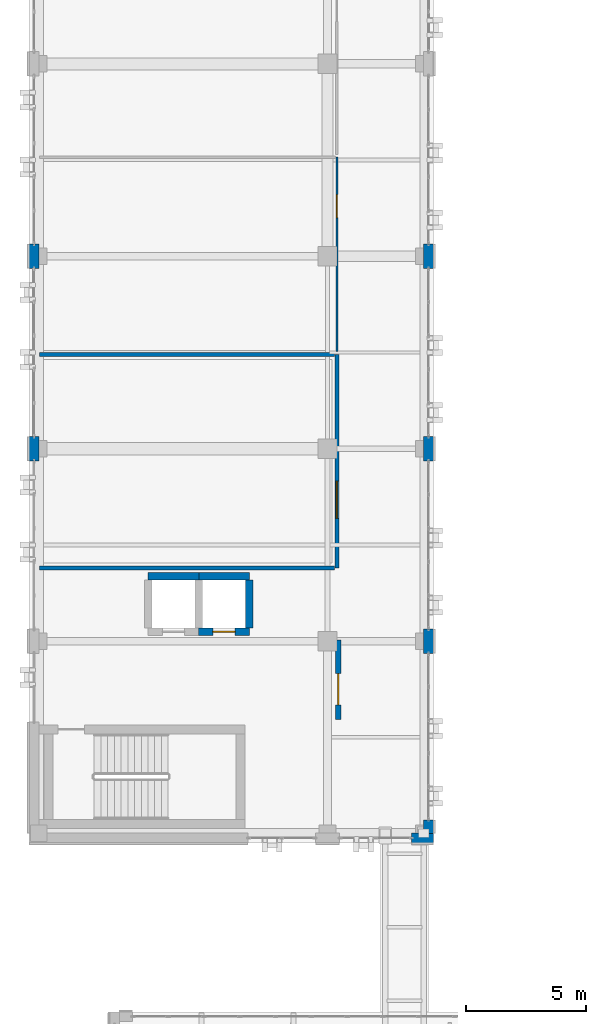
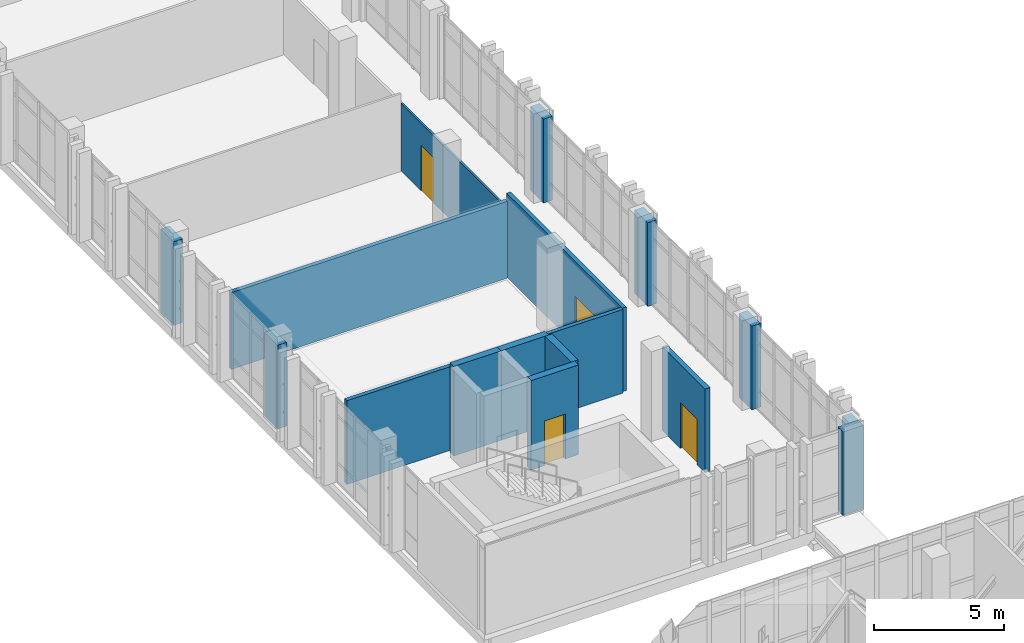
# One storey, part 130 of 158: 16 walls, 4 doors, 4 openings.
"""IFC4 building model written with IfcOpenShell, lengths in metres."""

import ifcopenshell
import ifcopenshell.guid

model = None  # the IFC model being written
_history = None  # IfcOwnerHistory: only IFC2X3 demands one
_inside = {}  # id of a spatial element -> (the spatial element, [elements in it])
_under = {}  # id of a project, library or spatial element -> (it, [spatial elements below it])
_declared = {}  # id of a project -> (the project, [libraries it declares])
_typed = {}  # id of a type object -> (the type object, [elements of that type])
_made_of = {}  # id of a material, layer set ... -> (it, [elements and type objects made of it])


def new_model(schema):
    """Start an empty IFC model of exactly this schema.

    Asked for "IFC4X3", IfcOpenShell would pick the latest addendum, in which some entities
    have other attributes; the version numbers below select the first issue.
    IFC2X3 requires an IfcOwnerHistory on every rooted entity: one is made here for all.
    """
    global model, _history
    if schema == "IFC4X3":
        model = ifcopenshell.file(schema_version=(4, 3, 0, 0))
    else:
        model = ifcopenshell.file(schema=schema)
    _inside.clear()
    _under.clear()
    _declared.clear()
    _typed.clear()
    _made_of.clear()
    _history = None
    if model.schema == "IFC2X3":
        org = make("IfcOrganization", Name="unknown")
        user = make(
            "IfcPersonAndOrganization",
            ThePerson=make("IfcPerson", FamilyName="unknown"),
            TheOrganization=org,
        )
        app = make(
            "IfcApplication",
            ApplicationDeveloper=org,
            Version="unknown",
            ApplicationFullName="unknown",
            ApplicationIdentifier="unknown",
        )
        _history = make(
            "IfcOwnerHistory",
            OwningUser=user,
            OwningApplication=app,
            ChangeAction="ADDED",
            CreationDate=0,
        )
    return model


def make(cls, **values):
    """One entity of the class cls with the attributes given. An attribute that is None is left unset."""
    return model.create_entity(
        cls, **{name: value for name, value in values.items() if value is not None}
    )


def rooted(cls, **values):
    """An entity with a GlobalId (a new one), such as an element, a storey or a relation."""
    return make(cls, GlobalId=ifcopenshell.guid.new(), OwnerHistory=_history, **values)


def si_unit(unit_type, name, prefix=None):
    """IfcSIUnit, for example si_unit("LENGTHUNIT", "METRE", prefix="MILLI")."""
    return make("IfcSIUnit", UnitType=unit_type, Prefix=prefix, Name=name)


def assignment(units):
    """IfcUnitAssignment: the units of a project."""
    return None if units is None else make("IfcUnitAssignment", Units=units)


def point(xyz):
    """IfcCartesianPoint."""
    return None if xyz is None else make("IfcCartesianPoint", Coordinates=xyz)


def direction(xyz):
    """IfcDirection."""
    return None if xyz is None else make("IfcDirection", DirectionRatios=xyz)


def frame(location, z_axis=None, x_axis=None):
    """IfcAxis2Placement3D, a coordinate frame: its origin and axes. An axis left out is left unset."""
    return make(
        "IfcAxis2Placement3D",
        Location=point(location),
        Axis=direction(z_axis),
        RefDirection=direction(x_axis),
    )


def frame_2d(location, x_axis=None):
    """IfcAxis2Placement2D, a coordinate frame in the plane: its origin and x axis."""
    return make(
        "IfcAxis2Placement2D", Location=point(location), RefDirection=direction(x_axis)
    )


def origin():
    """The frame at (0, 0, 0) with its axes left unset."""
    return frame((0.0, 0.0, 0.0))


def place(relative_to, where):
    """IfcLocalPlacement: puts the frame where relative to a parent placement (None: the world)."""
    return make(
        "IfcLocalPlacement", PlacementRelTo=relative_to, RelativePlacement=where
    )


def context(
    kind, dimensions, precision=None, world=None, true_north=None, identifier=None
):
    """IfcGeometricRepresentationContext, for example the 3D "Model" context."""
    return make(
        "IfcGeometricRepresentationContext",
        ContextIdentifier=identifier,
        ContextType=kind,
        CoordinateSpaceDimension=dimensions,
        Precision=precision,
        WorldCoordinateSystem=world,
        TrueNorth=true_north,
    )


def subcontext(parent, identifier, kind, view, scale=None):
    """IfcGeometricRepresentationSubContext, for example "Body" below "Model"."""
    return make(
        "IfcGeometricRepresentationSubContext",
        ContextIdentifier=identifier,
        ContextType=kind,
        ParentContext=parent,
        TargetScale=scale,
        TargetView=view,
    )


def project(units=None, contexts=None):
    """IfcProject with its units and contexts."""
    return rooted(
        "IfcProject",
        Name="project",
        RepresentationContexts=contexts,
        UnitsInContext=assignment(units),
    )


def spatial(cls, under=None, at=None, **own):
    """A site, building, storey or space (cls), placed at a placement, below another one or the project."""
    s = rooted(cls, ObjectPlacement=at, **own)
    if under is not None:
        _under.setdefault(under.id(), (under, []))[1].append(s)
    return s


def profile(cls, at=None, kind="AREA", **sizes):
    """A parametric profile (cls). Its sizes go by their IFC names, for example OverallWidth=200.0."""
    return make(cls, ProfileType=kind, Position=at, **sizes)


def rectangle(**sizes):
    """IfcRectangleProfileDef."""
    return profile("IfcRectangleProfileDef", **sizes)


def extrude(swept, where, along, depth):
    """IfcExtrudedAreaSolid: the profile swept, set in the frame where, extruded along a direction by depth."""
    return make(
        "IfcExtrudedAreaSolid",
        SweptArea=swept,
        Position=where,
        ExtrudedDirection=direction(along),
        Depth=depth,
    )


def shape(context_of_items, identifier, shape_type, items):
    """IfcShapeRepresentation: the items that make up one representation, for example the "Body"."""
    return make(
        "IfcShapeRepresentation",
        ContextOfItems=context_of_items,
        RepresentationIdentifier=identifier,
        RepresentationType=shape_type,
        Items=items,
    )


def material(Name=None, Category=None):
    """IfcMaterial."""
    return make("IfcMaterial", Name=Name, Category=Category)


def layer(
    of_material, thickness, ventilated=None, Name=None, Category=None, Priority=None
):
    """IfcMaterialLayer: one layer of a wall or slab, of a material (None: an air gap)."""
    return make(
        "IfcMaterialLayer",
        Material=of_material,
        LayerThickness=thickness,
        IsVentilated=ventilated,
        Name=Name,
        Category=Category,
        Priority=Priority,
    )


def layer_set(layers, Name=None):
    """IfcMaterialLayerSet."""
    return make("IfcMaterialLayerSet", MaterialLayers=layers, LayerSetName=Name)


def made_of(thing, what):
    """Note that an element or type object is made of a material, layer set ...; save() writes the relation."""
    if what is not None:
        _made_of.setdefault(what.id(), (what, []))[1].append(thing)
    return thing


def type_object(cls, material=None, **own):
    """A type object (cls), such as IfcWallType, which elements share."""
    return made_of(rooted(cls, **own), material)


def element(
    cls,
    number,
    at=None,
    inside=None,
    cuts=None,
    type_object=None,
    material=None,
    context=None,
    identifier="Body",
    shape_type=None,
    held_by="IfcProductDefinitionShape",
    body=None,
    shapes=None,
    **own,
):
    """One element of the class cls, such as IfcWall. Its Tag is "e" and its number.

    at: its placement. inside: the storey or other place that contains it. cuts: it is an
    opening in that element (IfcRelVoidsElement). A single representation is given by context,
    identifier, shape_type and body (its items); several are given by shapes. held_by: the class
    of the entity that holds the representations. save() writes the other relations.
    """
    e = rooted(cls, Tag="e%d" % number, ObjectPlacement=at, **own)
    if body is not None:
        shapes = [shape(context, identifier, shape_type, body)]
    if shapes is not None:
        e.Representation = make(held_by, Representations=shapes)
    if inside is not None:
        _inside.setdefault(inside.id(), (inside, []))[1].append(e)
    if cuts is not None:
        rooted(
            "IfcRelVoidsElement", RelatingBuildingElement=cuts, RelatedOpeningElement=e
        )
    if type_object is not None:
        _typed.setdefault(type_object.id(), (type_object, []))[1].append(e)
    return made_of(e, material)


def fill(opening, filler):
    """IfcRelFillsElement: the door or window that sits in an opening."""
    return rooted(
        "IfcRelFillsElement",
        RelatingOpeningElement=opening,
        RelatedBuildingElement=filler,
    )


def aggregate(whole, parts):
    """IfcRelAggregates: a whole, such as a stair, and the parts it consists of."""
    return rooted("IfcRelAggregates", RelatingObject=whole, RelatedObjects=parts)


def save(model, path):
    """Write the relations noted so far, then the file.

    IfcRelAggregates (storeys below a building ...), IfcRelContainedInSpatialStructure (elements
    in a storey), IfcRelDefinesByType, IfcRelAssociatesMaterial and IfcRelDeclares: one each for
    every whole, place, type object, material and project.
    """
    for whole, parts in _under.values():
        aggregate(whole, parts)
    for where, things in _inside.values():
        rooted(
            "IfcRelContainedInSpatialStructure",
            RelatedElements=things,
            RelatingStructure=where,
        )
    for kind, things in _typed.values():
        rooted("IfcRelDefinesByType", RelatedObjects=things, RelatingType=kind)
    for what, things in _made_of.values():
        rooted("IfcRelAssociatesMaterial", RelatedObjects=things, RelatingMaterial=what)
    for by, libraries in _declared.values():
        rooted("IfcRelDeclares", RelatingContext=by, RelatedDefinitions=libraries)
    model.write(path)


model = new_model("IFC4")

# Units and contexts
model_context = context("Model", 3, precision=1e-05, world=origin(), true_north=direction((0.0, 1.0)))
body_context = subcontext(model_context, "Body", "Model", "MODEL_VIEW")
ifc_project = project(units=[si_unit("LENGTHUNIT", "METRE"), si_unit("AREAUNIT", "SQUARE_METRE"), si_unit("VOLUMEUNIT", "CUBIC_METRE"), si_unit("PLANEANGLEUNIT", "RADIAN"), si_unit("MASSUNIT", "GRAM", prefix="KILO")], contexts=[model_context])

# Site, building, storey
site_placement = place(None, origin())
site = spatial("IfcSite", under=ifc_project, at=site_placement, CompositionType="ELEMENT")
building_placement = place(site_placement, origin())
building = spatial("IfcBuilding", under=site, at=building_placement, Name="Qalavern Law Courts", CompositionType="ELEMENT")
storey_placement = place(building_placement, frame((0.0, 0.0, 18.60009765625)))
storey = spatial("IfcBuildingStorey", under=building, at=storey_placement, Name="L04", CompositionType="ELEMENT", Elevation=18.60009765625)

# Walls
ifc_material_1 = material(Name="Concrete C40/50", Category="concrete")
ifc_layer_1 = layer(ifc_material_1, 0.39990234375)
ifc_layer_set_1 = layer_set([ifc_layer_1], Name="Concrete C40/50")
wall_type_1 = type_object("IfcWallType", Name="ENV-EW-400", PredefinedType="SOLIDWALL", material=ifc_layer_set_1)
wall_1_placement = place(storey_placement, frame((17.89990234375, 41.219970703125, 0.0), z_axis=(0.0, 0.0, 1.0), x_axis=(1.0, 0.0, 0.0)))
element("IfcWall", 1, at=wall_1_placement, inside=storey, type_object=wall_type_1, Name="V3 exterior pier wall L04 south 3", PredefinedType="SOLIDWALL", context=body_context, shape_type="SweptSolid", body=[
    extrude(rectangle(XDim=0.900146484375, YDim=0.39990234375, at=frame_2d((0.4501953125, 0.0))), origin(), (0.0, 0.0, 1.0), 3.9248046875),
])
wall_2_placement = place(storey_placement, frame((18.60009765625, 41.4150390625, 0.0), z_axis=(0.0, 0.0, 1.0), x_axis=(0.0, 1.0, 0.0)))
element("IfcWall", 2, at=wall_2_placement, inside=storey, type_object=wall_type_1, Name="V3 exterior pier wall L04 east 1", PredefinedType="SOLIDWALL", context=body_context, shape_type="SweptSolid", body=[
    extrude(rectangle(XDim=0.550048828125, YDim=0.39990234375, at=frame_2d((0.27490234375, 0.0))), origin(), (0.0, 0.0, 1.0), 3.9248046875),
])
for number, where, z_axis, x_axis, name in (
    (3, (18.60009765625, 48.89990234375, 0.0), (0.0, 0.0, 1.0), (0.0, 1.0, 0.0), "V3 exterior pier wall L04 east 2"),
    (4, (18.60009765625, 56.89990234375, 0.0), (0.0, 0.0, 1.0), (0.0, 1.0, 0.0), "V3 exterior pier wall L04 east 3"),
    (5, (18.60009765625, 64.89990234375, 0.0), (0.0, 0.0, 1.0), (0.0, 1.0, 0.0), "V3 exterior pier wall L04 east 4"),
    (6, (2.199951171875, 65.89990234375, 0.0), (0.0, 0.0, 1.0), (0.0, -1.0, 0.0), "V3 exterior pier wall L04 west 5"),
    (7, (2.199951171875, 57.89990234375, 0.0), (0.0, 0.0, 1.0), (0.0, -1.0, 0.0), "V3 exterior pier wall L04 west 6"),
):
    element("IfcWall", number, at=place(storey_placement, frame(where, z_axis=z_axis, x_axis=x_axis)), inside=storey, type_object=wall_type_1, Name=name, PredefinedType="SOLIDWALL", context=body_context, shape_type="SweptSolid", body=[
        extrude(rectangle(XDim=1.0, YDim=0.39990234375, at=frame_2d((0.5, 0.0))), origin(), (0.0, 0.0, 1.0), 3.9248046875),
    ])

# Wall, opening, door
ifc_layer_2 = layer(ifc_material_1, 0.22509765625)
ifc_layer_set_2 = layer_set([ifc_layer_2], Name="Concrete C40/50")
wall_type_2 = type_object("IfcWallType", Name="INT-FW-225", PredefinedType="PARTITIONING", material=ifc_layer_set_2)
wall_3_placement = place(storey_placement, frame((14.85009765625, 46.14990234375, 0.0), z_axis=(0.0, 0.0, 1.0), x_axis=(0.0, 1.0, 0.0)))
wall_3 = element("IfcWall", 8, at=wall_3_placement, inside=storey, type_object=wall_type_2, Name="Core K2 firefighting/stair lobby fire wall L04", PredefinedType="PARTITIONING", context=body_context, shape_type="SweptSolid", body=[
    extrude(rectangle(XDim=3.300048828125, YDim=0.22509765625, at=frame_2d((1.64990234375, 0.0))), origin(), (0.0, 0.0, 1.0), 3.9248046875),
])
opening_1_placement = place(wall_3_placement, frame((0.60009765625, 0.0, 0.0)))
opening_1 = element("IfcOpeningElement", 9, at=opening_1_placement, cuts=wall_3, Name="Opening L04-D062", PredefinedType="OPENING", context=body_context, shape_type="SweptSolid", body=[
    extrude(rectangle(XDim=1.300048828125, YDim=2.14990234375, at=frame_2d((0.64990234375, 1.074951171875))), frame((0.0, 0.12744140625, 0.0), z_axis=(0.0, -1.0, 0.0), x_axis=(1.0, 0.0, 0.0)), (0.0, 0.0, 1.0), 0.2548828125),
])
ifc_material_2 = material(Name="Steel fire-rated frame and acoustic timber leaves", Category="steel")
door_type_1 = type_object("IfcDoorType", Name="INT-FD-1300x2150", OperationType="DOUBLE_DOOR_SINGLE_SWING", PredefinedType="DOOR", material=ifc_material_2)
door_1_placement = place(opening_1_placement, origin())
door_1 = element("IfcDoor", 10, at=door_1_placement, inside=storey, type_object=door_type_1, Name="Core K2 lobby fire door L04", OperationType="DOUBLE_DOOR_SINGLE_SWING", OverallHeight=2.14990234375, OverallWidth=1.300048828125, PredefinedType="DOOR", context=body_context, shape_type="SweptSolid", body=[
    extrude(rectangle(XDim=1.300048828125, YDim=2.14990234375, at=frame_2d((0.64990234375, 1.074951171875))), frame((0.0, 0.02490234375, 0.0), z_axis=(0.0, -1.0, 0.0), x_axis=(1.0, 0.0, 0.0)), (0.0, 0.0, 1.0), 0.050048828125),
])
fill(opening_1, door_1)

ifc_material_3 = material(Name="Gypsum shaft/chase partition")
ifc_layer_3 = layer(ifc_material_3, 0.092041015625)
ifc_layer_set_3 = layer_set([ifc_layer_3], Name="Gypsum shaft/chase partition")
wall_type_3 = type_object("IfcWallType", Name="INT-PW-092", PredefinedType="PARTITIONING", material=ifc_layer_set_3)
wall_4_placement = place(storey_placement, frame((14.7900390625, 61.443115234375, 0.0), z_axis=(0.0, 0.0, 1.0), x_axis=(0.0, 1.0, 0.0)))
wall_4 = element("IfcWall", 11, at=wall_4_placement, inside=storey, type_object=wall_type_3, Name="Custody Holding Cell corridor partition L04", PredefinedType="PARTITIONING", context=body_context, shape_type="SweptSolid", body=[
    extrude(rectangle(XDim=8.075927734375, YDim=0.092041015625, at=frame_2d((4.0380859375, 0.0))), origin(), (0.0, 0.0, 1.0), 3.15478515625),
])
opening_2_placement = place(wall_4_placement, frame((5.56298828125, 0.0, 0.0)))
opening_2 = element("IfcOpeningElement", 12, at=opening_2_placement, cuts=wall_4, Name="Opening L04-D229", PredefinedType="OPENING", context=body_context, shape_type="SweptSolid", body=[
    extrude(rectangle(XDim=0.949951171875, YDim=2.1201171875, at=frame_2d((0.47509765625, 1.06005859375))), frame((0.0, 0.06103515625, 0.0), z_axis=(0.0, -1.0, 0.0), x_axis=(1.0, 0.0, 0.0)), (0.0, 0.0, 1.0), 0.121826171875),
])
ifc_material_4 = material(Name="Heavy steel Custody Holding Cell door", Category="steel")
door_type_2 = type_object("IfcDoorType", Name="INT-ID-950x2120", OperationType="NOTDEFINED", PredefinedType="DOOR", material=ifc_material_4)
door_2_placement = place(opening_2_placement, frame((0.949951171875, 0.0, 0.0), z_axis=(0.0, 0.0, 1.0), x_axis=(-1.0, 0.0, 0.0)))
door_2 = element("IfcDoor", 13, at=door_2_placement, inside=storey, type_object=door_type_2, Name="Custody Holding Cell door L04", OperationType="SINGLE_SWING_RIGHT", OverallHeight=2.1201171875, OverallWidth=0.949951171875, PredefinedType="DOOR", context=body_context, shape_type="SweptSolid", body=[
    extrude(rectangle(XDim=0.949951171875, YDim=2.1201171875, at=frame_2d((0.47509765625, 1.06005859375))), frame((0.0, 0.02490234375, 0.0), z_axis=(0.0, -1.0, 0.0), x_axis=(1.0, 0.0, 0.0)), (0.0, 0.0, 1.0), 0.050048828125),
])
fill(opening_2, door_2)

ifc_material_5 = material(Name="Gypsum acoustic stud partition")
ifc_layer_4 = layer(ifc_material_5, 0.174072265625)
ifc_layer_set_4 = layer_set([ifc_layer_4], Name="Gypsum acoustic stud partition")
wall_type_4 = type_object("IfcWallType", Name="INT-PW-174", PredefinedType="PARTITIONING", material=ifc_layer_set_4)
wall_5_placement = place(storey_placement, frame((14.7900390625, 52.43994140625, 0.0), z_axis=(0.0, 0.0, 1.0), x_axis=(0.0, 1.0, 0.0)))
wall_5 = element("IfcWall", 14, at=wall_5_placement, inside=storey, type_object=wall_type_4, Name="High-Security Criminal Courtroom corridor partition L04", PredefinedType="PARTITIONING", context=body_context, shape_type="SweptSolid", body=[
    extrude(rectangle(XDim=8.883056640625, YDim=0.174072265625, at=frame_2d((4.44140625, 0.0))), origin(), (0.0, 0.0, 1.0), 3.9248046875),
])
opening_3_placement = place(wall_5_placement, frame((2.06640625, 0.0, 0.0)))
opening_3 = element("IfcOpeningElement", 15, at=opening_3_placement, cuts=wall_5, Name="Opening L04-D228", PredefinedType="OPENING", context=body_context, shape_type="SweptSolid", body=[
    extrude(rectangle(XDim=1.550048828125, YDim=2.280029296875, at=frame_2d((0.77490234375, 1.14013671875))), frame((0.0, 0.10205078125, 0.0), z_axis=(0.0, -1.0, 0.0), x_axis=(1.0, 0.0, 0.0)), (0.0, 0.0, 1.0), 0.203857421875),
])
ifc_material_6 = material(Name="Acoustic oak double Civil Courtroom door")
door_type_3 = type_object("IfcDoorType", Name="INT-ID-1550x2280", OperationType="DOUBLE_DOOR_SINGLE_SWING", PredefinedType="DOOR", material=ifc_material_6)
door_3_placement = place(opening_3_placement, frame((1.550048828125, 0.0, 0.0), z_axis=(0.0, 0.0, 1.0), x_axis=(-1.0, 0.0, 0.0)))
door_3 = element("IfcDoor", 16, at=door_3_placement, inside=storey, type_object=door_type_3, Name="High-Security Criminal Courtroom door L04", OperationType="DOUBLE_DOOR_SINGLE_SWING", OverallHeight=2.280029296875, OverallWidth=1.550048828125, PredefinedType="DOOR", context=body_context, shape_type="SweptSolid", body=[
    extrude(rectangle(XDim=1.550048828125, YDim=2.280029296875, at=frame_2d((0.77490234375, 1.14013671875))), frame((0.0, 0.02490234375, 0.0), z_axis=(0.0, -1.0, 0.0), x_axis=(1.0, 0.0, 0.0)), (0.0, 0.0, 1.0), 0.050048828125),
])
fill(opening_3, door_3)

# Walls
wall_6_placement = place(storey_placement, frame((2.43994140625, 52.43994140625, 0.0), z_axis=(0.0, 0.0, 1.0), x_axis=(1.0, 0.0, 0.0)))
element("IfcWall", 17, at=wall_6_placement, inside=storey, type_object=wall_type_4, Name="High-Security Criminal Courtroom cross partition L04 south", PredefinedType="PARTITIONING", context=body_context, shape_type="SweptSolid", body=[
    extrude(rectangle(XDim=12.2431640625, YDim=0.174072265625, at=frame_2d((6.12158203125, 0.0))), origin(), (0.0, 0.0, 1.0), 3.9248046875),
])
wall_7_placement = place(storey_placement, frame((2.43994140625, 61.322998046875, 0.0), z_axis=(0.0, 0.0, 1.0), x_axis=(1.0, 0.0, 0.0)))
element("IfcWall", 18, at=wall_7_placement, inside=storey, type_object=wall_type_4, Name="High-Security Criminal Courtroom cross partition L04 north", PredefinedType="PARTITIONING", context=body_context, shape_type="SweptSolid", body=[
    extrude(rectangle(XDim=12.2431640625, YDim=0.174072265625, at=frame_2d((6.12158203125, 0.0))), origin(), (0.0, 0.0, 1.0), 3.60498046875),
])
ifc_material_7 = material(Name="Concrete C45/55", Category="concrete")
ifc_layer_5 = layer(ifc_material_7, 0.304931640625)
ifc_layer_set_5 = layer_set([ifc_layer_5], Name="Concrete C45/55")
wall_type_5 = type_object("IfcWallType", Name="INT-SW-305", PredefinedType="SHEAR", material=ifc_layer_set_5)
wall_8_placement = place(storey_placement, frame((9.052490234375, 52.1025390625, 0.0), z_axis=(0.0, 0.0, 1.0), x_axis=(-1.0, 0.0, 0.0)))
element("IfcWall", 19, at=wall_8_placement, inside=storey, type_object=wall_type_5, Name="Lift LF-C1 shaft wall L04 north", PredefinedType="SHEAR", context=body_context, shape_type="SweptSolid", body=[
    extrude(rectangle(XDim=2.10498046875, YDim=0.304931640625, at=frame_2d((1.052490234375, 0.0))), origin(), (0.0, 0.0, 1.0), 4.199951171875),
])

# Wall, opening, door
wall_9_placement = place(storey_placement, frame((9.047607421875, 49.797607421875, 0.0), z_axis=(0.0, 0.0, 1.0), x_axis=(1.0, 0.0, 0.0)))
wall_9 = element("IfcWall", 20, at=wall_9_placement, inside=storey, type_object=wall_type_5, Name="Lift LF-C2 shaft wall L04 south", PredefinedType="SHEAR", context=body_context, shape_type="SweptSolid", body=[
    extrude(rectangle(XDim=2.10498046875, YDim=0.304931640625, at=frame_2d((1.052490234375, 0.0))), origin(), (0.0, 0.0, 1.0), 4.199951171875),
])
opening_4_placement = place(wall_9_placement, frame((0.592529296875, 0.0, 0.0)))
opening_4 = element("IfcOpeningElement", 21, at=opening_4_placement, cuts=wall_9, Name="Opening LD-LF-C2-L04", PredefinedType="OPENING", context=body_context, shape_type="SweptSolid", body=[
    extrude(rectangle(XDim=0.919921875, YDim=2.10009765625, at=frame_2d((0.4599609375, 1.050048828125))), frame((0.0, 0.16748046875, 0.0), z_axis=(0.0, -1.0, 0.0), x_axis=(1.0, 0.0, 0.0)), (0.0, 0.0, 1.0), 0.334716796875),
])
ifc_material_8 = material(Name="Heavy-gauge steel custody lift sliding landing door", Category="steel")
door_type_4 = type_object("IfcDoorType", Name="INT-LD-920x2100", OperationType="SLIDING_TO_LEFT", PredefinedType="DOOR", material=ifc_material_8)
door_4_placement = place(opening_4_placement, origin())
door_4 = element("IfcDoor", 22, at=door_4_placement, inside=storey, type_object=door_type_4, Name="Lift LF-C2 sliding landing door L04", OperationType="SLIDING_TO_LEFT", OverallHeight=2.10009765625, OverallWidth=0.919921875, PredefinedType="DOOR", context=body_context, shape_type="SweptSolid", body=[
    extrude(rectangle(XDim=0.919921875, YDim=2.10009765625, at=frame_2d((0.4599609375, 1.050048828125))), frame((0.0, 0.02490234375, 0.0), z_axis=(0.0, -1.0, 0.0), x_axis=(1.0, 0.0, 0.0)), (0.0, 0.0, 1.0), 0.050048828125),
])
fill(opening_4, door_4)

# Walls
wall_10_placement = place(storey_placement, frame((11.152587890625, 49.949951171875, 0.0), z_axis=(0.0, 0.0, 1.0), x_axis=(0.0, 1.0, 0.0)))
element("IfcWall", 23, at=wall_10_placement, inside=storey, type_object=wall_type_5, Name="Lift LF-C2 shaft wall L04 east", PredefinedType="SHEAR", context=body_context, shape_type="SweptSolid", body=[
    extrude(rectangle(XDim=2.0, YDim=0.304931640625, at=frame_2d((1.0, 0.0))), origin(), (0.0, 0.0, 1.0), 4.199951171875),
])
wall_11_placement = place(storey_placement, frame((11.152587890625, 52.1025390625, 0.0), z_axis=(0.0, 0.0, 1.0), x_axis=(-1.0, 0.0, 0.0)))
element("IfcWall", 24, at=wall_11_placement, inside=storey, type_object=wall_type_5, Name="Lift LF-C2 shaft wall L04 north", PredefinedType="SHEAR", context=body_context, shape_type="SweptSolid", body=[
    extrude(rectangle(XDim=2.10498046875, YDim=0.304931640625, at=frame_2d((1.052490234375, 0.0))), origin(), (0.0, 0.0, 1.0), 4.199951171875),
])

save(model, "model.ifc")
